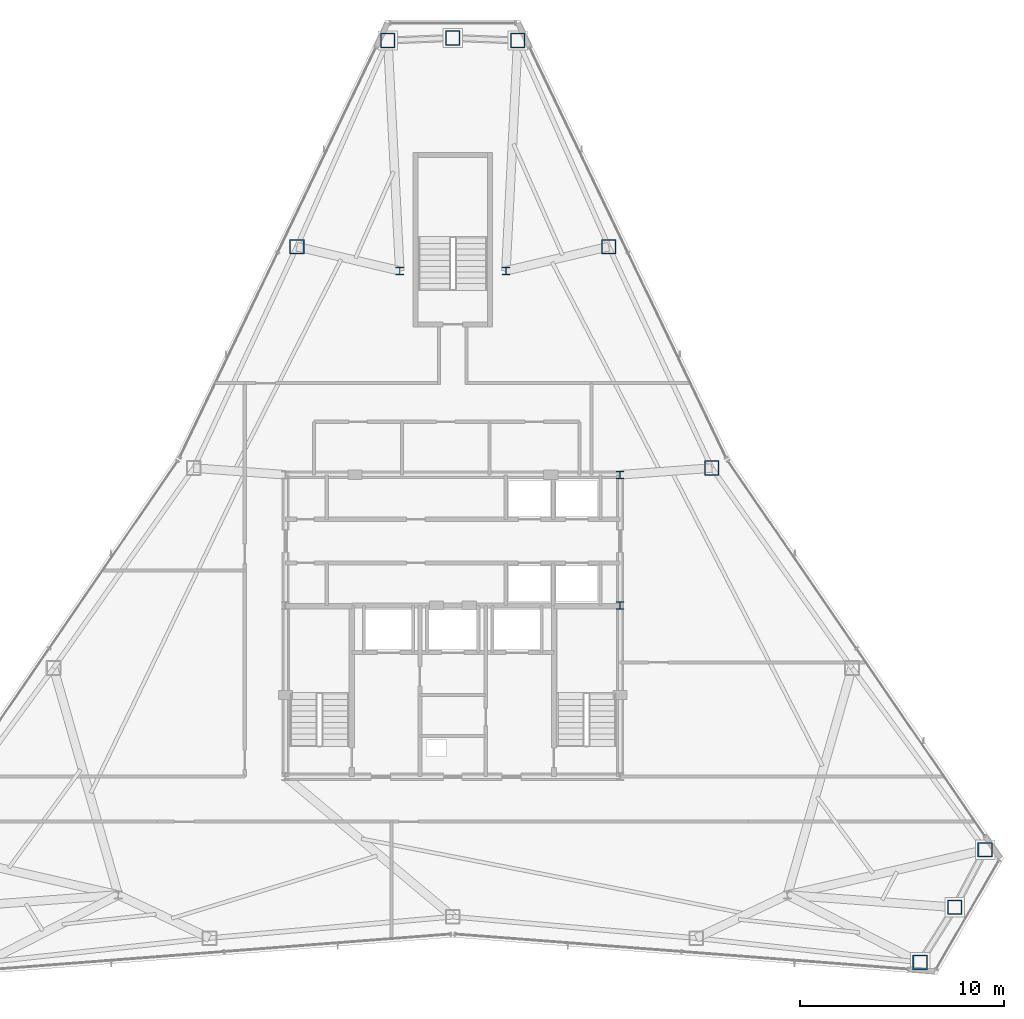
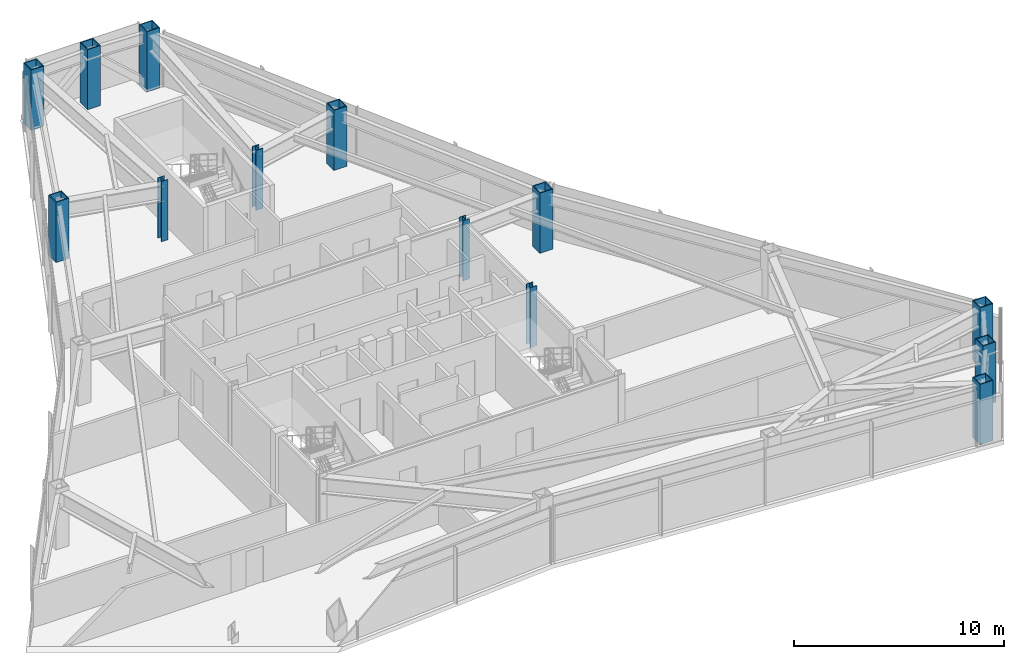
# One storey, part 2 of 12: 13 columns.
"""IFC4 building model written with IfcOpenShell, lengths in metres."""

from ifc_helpers import new_model, si_unit, direction, frame, origin, origin_2d, place, context, subcontext, project, spatial, hollow_rectangle, i_section, extrude, material, material_profile, profile_set, type_object, element, save


model = new_model("IFC4")

# Units and contexts
model_context = context("Model", 3, precision=1e-05, world=origin(), true_north=direction((0.0, 1.0)))
body_context = subcontext(model_context, "Body", "Model", "MODEL_VIEW")
ifc_project = project(units=[si_unit("LENGTHUNIT", "METRE"), si_unit("AREAUNIT", "SQUARE_METRE"), si_unit("VOLUMEUNIT", "CUBIC_METRE"), si_unit("PLANEANGLEUNIT", "RADIAN"), si_unit("MASSUNIT", "GRAM", prefix="KILO")], contexts=[model_context])

# Site, building, storey
site_placement = place(None, origin())
site = spatial("IfcSite", under=ifc_project, at=site_placement, CompositionType="ELEMENT")
building_placement = place(site_placement, origin())
building = spatial("IfcBuilding", under=site, at=building_placement, Name="Varakhsha Concourse Tower", CompositionType="ELEMENT")
storey_placement = place(building_placement, frame((0.0, 0.0, 218.89990234375)))
storey = spatial("IfcBuildingStorey", under=building, at=storey_placement, Name="L62", CompositionType="ELEMENT", Elevation=218.89990234375)

# Columns
ifc_material_1 = material(Name="Structural Steel ASTM A992 Grade 50", Category="steel")
ifc_material_profile_1 = material_profile(ifc_material_1, i_section(OverallWidth=0.3740234375, OverallDepth=0.3720703125, WebThickness=0.01611328125, FlangeThickness=0.02587890625, at=origin_2d()), Name="W14X132")
ifc_profile_set_1 = profile_set([ifc_material_profile_1], Name="Structural Steel ASTM A992 Grade 50")
column_type_1 = type_object("IfcColumnType", Name="CL-CORE-W14X132", PredefinedType="COLUMN", material=ifc_profile_set_1)
for number, where, z_axis, x_axis, name in (
    (1, (48.199951171875, 24.800048828125, 0.0), (0.0, 0.0, 1.0), (1.0, 0.0, 0.0), "L62 Core Column CC-ME"),
    (2, (48.199951171875, 31.199951171875, 0.0), (0.0, 0.0, 1.0), (1.0, 0.0, 0.0), "L62 Core Column CC-NE"),
    (3, (37.39990234375, 41.199951171875, 0.0), (0.0, 0.0, 1.0), (1.0, 0.0, 0.0), "L62 Core Column NS-W"),
    (4, (42.60009765625, 41.199951171875, 0.0), (0.0, 0.0, 1.0), (1.0, 0.0, 0.0), "L62 Core Column NS-E"),
):
    element("IfcColumn", number, at=place(storey_placement, frame(where, z_axis=z_axis, x_axis=x_axis)), inside=storey, type_object=column_type_1, Name=name, PredefinedType="COLUMN", context=body_context, shape_type="SweptSolid", body=[
        extrude(i_section(OverallWidth=0.3740234375, OverallDepth=0.3720703125, WebThickness=0.01611328125, FlangeThickness=0.02587890625, at=origin_2d()), origin(), (0.0, 0.0, 1.0), 3.5),
    ])
ifc_material_2 = material(Name="Structural Steel ASTM A572 Grade 50", Category="steel")
ifc_material_profile_2 = material_profile(ifc_material_2, hollow_rectangle(XDim=0.719970703125, YDim=0.719970703125, WallThickness=0.050048828125, at=origin_2d()), Name="BOX 720x720x50")
ifc_profile_set_2 = profile_set([ifc_material_profile_2], Name="Structural Steel ASTM A572 Grade 50")
column_type_2 = type_object("IfcColumnType", Name="CL-TUBE-720", PredefinedType="COLUMN", material=ifc_profile_set_2)
for number, where, z_axis, x_axis, name in (
    (5, (43.186767578125, 52.491943359375, 0.0), (0.0, 0.0, 1.0), (1.0, 0.0, 0.0), "L62 Framed-Tube Column TC01"),
    (6, (40.0, 52.617431640625, 0.0), (0.0, 0.0, 1.0), (1.0, 0.0, 0.0), "L62 Framed-Tube Column TC02"),
    (7, (36.813232421875, 52.491943359375, 0.0), (0.0, 0.0, 1.0), (1.0, 0.0, 0.0), "L62 Framed-Tube Column TC03"),
    (8, (32.356201171875, 42.3876953125, 0.0), (0.0, 0.0, 1.0), (1.0, 0.0, 0.0), "L62 Framed-Tube Column TC04"),
    (9, (62.908203125, 7.294189453125, 0.0), (0.0, 0.0, 1.0), (1.0, 0.0, 0.0), "L62 Framed-Tube Column TC13"),
    (10, (64.6103515625, 9.9912109375, 0.0), (0.0, 0.0, 1.0), (1.0, 0.0, 0.0), "L62 Framed-Tube Column TC14"),
    (11, (66.094970703125, 12.813720703125, 0.0), (0.0, 0.0, 1.0), (1.0, 0.0, 0.0), "L62 Framed-Tube Column TC15"),
    (12, (52.698974609375, 31.53173828125, 0.0), (0.0, 0.0, 1.0), (1.0, 0.0, 0.0), "L62 Framed-Tube Column TC17"),
    (13, (47.643798828125, 42.3876953125, 0.0), (0.0, 0.0, 1.0), (1.0, 0.0, 0.0), "L62 Framed-Tube Column TC18"),
):
    element("IfcColumn", number, at=place(storey_placement, frame(where, z_axis=z_axis, x_axis=x_axis)), inside=storey, type_object=column_type_2, Name=name, PredefinedType="COLUMN", context=body_context, shape_type="SweptSolid", body=[
        extrude(hollow_rectangle(XDim=0.719970703125, YDim=0.719970703125, WallThickness=0.050048828125, at=origin_2d()), origin(), (0.0, 0.0, 1.0), 3.5),
    ])

save(model, "model.ifc")
